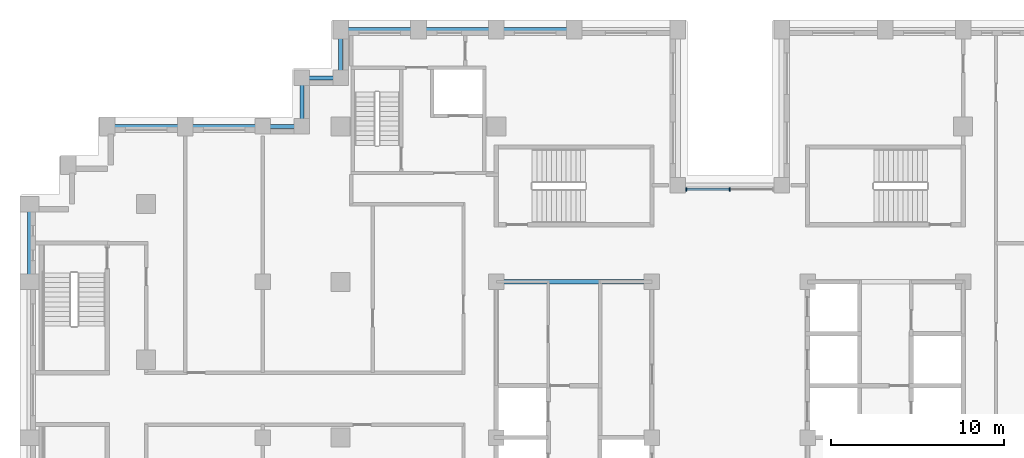
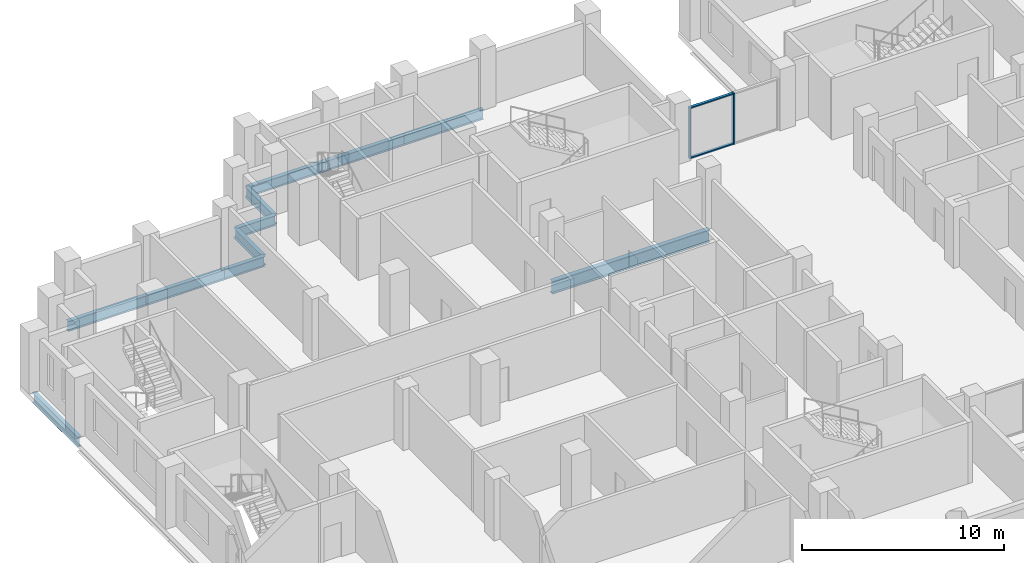
# One storey, part 3 of 15: 11 beams, 4 members, 1 element without a shape of its own.
"""IFC4 building model written with IfcOpenShell, lengths in metres."""

from ifc_helpers import new_model, si_unit, direction, frame, origin, origin_2d, place, context, subcontext, project, spatial, rectangle, i_section, extrude, material, layer, layer_set, material_profile, profile_set, type_object, element, aggregate, save


model = new_model("IFC4")

# Units and contexts
model_context = context("Model", 3, precision=1e-05, world=origin(), true_north=direction((0.0, 1.0)))
body_context = subcontext(model_context, "Body", "Model", "MODEL_VIEW")
ifc_project = project(units=[si_unit("LENGTHUNIT", "METRE"), si_unit("AREAUNIT", "SQUARE_METRE"), si_unit("VOLUMEUNIT", "CUBIC_METRE"), si_unit("PLANEANGLEUNIT", "RADIAN"), si_unit("MASSUNIT", "GRAM", prefix="KILO")], contexts=[model_context])

# Site, building, storey
site_placement = place(None, origin())
site = spatial("IfcSite", under=ifc_project, at=site_placement, CompositionType="ELEMENT")
building_placement = place(site_placement, origin())
building = spatial("IfcBuilding", under=site, at=building_placement, Name="Corbelhall Arena Tower", CompositionType="ELEMENT")
storey_placement = place(building_placement, frame((0.0, 0.0, 166.0)))
storey = spatial("IfcBuildingStorey", under=building, at=storey_placement, Name="L33", CompositionType="ELEMENT", Elevation=166.0)

# Curtain wall, members
ifc_material_1 = material(Name="Aluminium black anodised", Category="aluminium")
ifc_layer = layer(ifc_material_1, 0.199951171875)
ifc_layer_set = layer_set([ifc_layer], Name="EV-CW1 Slot back wall")
curtain_wall_type = type_object("IfcCurtainWallType", Name="EV-CW1 Slot back wall", PredefinedType="NOTDEFINED", material=ifc_layer_set)
curtain_wall_placement = place(storey_placement, origin())
curtain_wall = element("IfcCurtainWall", 1, at=curtain_wall_placement, inside=storey, type_object=curtain_wall_type, Name="Curtain wall CW1", PredefinedType="NOTDEFINED")
ifc_material_profile_1 = material_profile(ifc_material_1, rectangle(XDim=0.199951171875, YDim=0.074951171875, at=origin_2d()))
ifc_profile_set_1 = profile_set([ifc_material_profile_1], Name="Aluminium black anodised")
member_type_1 = type_object("IfcMemberType", Name="EV-CW1-MULLION", PredefinedType="MULLION", material=ifc_profile_set_1)
member_1_placement = place(storey_placement, frame((0.0, 14.35009765625, 0.0), z_axis=(0.0, 0.0, 1.0), x_axis=(0.0, -1.0, 0.0)))
member_1 = element("IfcMember", 2, at=member_1_placement, type_object=member_type_1, Name="CW1 mullion 2", PredefinedType="MULLION", context=body_context, shape_type="SweptSolid", body=[
    extrude(rectangle(XDim=0.199951171875, YDim=0.074951171875, at=origin_2d()), origin(), (0.0, 0.0, 1.0), 3.10009765625),
])
member_2_placement = place(storey_placement, frame((-2.512451171875, 14.35009765625, 0.0), z_axis=(0.0, 0.0, 1.0), x_axis=(0.0, -1.0, 0.0)))
member_2 = element("IfcMember", 3, at=member_2_placement, type_object=member_type_1, Name="CW1 mullion 3", PredefinedType="MULLION", context=body_context, shape_type="SweptSolid", body=[
    extrude(rectangle(XDim=0.199951171875, YDim=0.074951171875, at=origin_2d()), origin(), (0.0, 0.0, 1.0), 3.10009765625),
])
ifc_material_profile_2 = material_profile(ifc_material_1, rectangle(XDim=0.14990234375, YDim=0.074951171875, at=origin_2d()))
ifc_profile_set_2 = profile_set([ifc_material_profile_2], Name="Aluminium black anodised")
member_type_2 = type_object("IfcMemberType", Name="EV-CW1-TRANSOM", PredefinedType="USERDEFINED", material=ifc_profile_set_2)
member_3_placement = place(storey_placement, frame((-0.03759765625, 14.35009765625, 0.03759765625), z_axis=(-1.0, 0.0, 0.0), x_axis=(0.0, -1.0, 0.0)))
member_3 = element("IfcMember", 4, at=member_3_placement, type_object=member_type_2, Name="CW1 transom 2.1", ObjectType="transom", PredefinedType="USERDEFINED", context=body_context, shape_type="SweptSolid", body=[
    extrude(rectangle(XDim=0.14990234375, YDim=0.074951171875, at=origin_2d()), origin(), (0.0, 0.0, 1.0), 2.4375),
])
member_4_placement = place(storey_placement, frame((-0.03759765625, 14.35009765625, 3.0625), z_axis=(-1.0, 0.0, 0.0), x_axis=(0.0, -1.0, 0.0)))
member_4 = element("IfcMember", 5, at=member_4_placement, type_object=member_type_2, Name="CW1 transom 2.2", ObjectType="transom", PredefinedType="USERDEFINED", context=body_context, shape_type="SweptSolid", body=[
    extrude(rectangle(XDim=0.14990234375, YDim=0.074951171875, at=origin_2d()), origin(), (0.0, 0.0, 1.0), 2.4375),
])
aggregate(curtain_wall, [member_1, member_2, member_3, member_4])

# Beams
ifc_material_2 = material(Name="Steel ASTM A992 Gr50", Category="steel")
ifc_material_profile_3 = material_profile(ifc_material_2, i_section(OverallWidth=0.2666015625, OverallDepth=0.761962890625, WebThickness=0.014404296875, FlangeThickness=0.021484375, at=origin_2d()))
ifc_profile_set_3 = profile_set([ifc_material_profile_3], Name="Steel ASTM A992 Gr50")
beam_type_1 = type_object("IfcBeamType", Name="ST-BEAM-W30x116", PredefinedType="BEAM", material=ifc_profile_set_3)
beam_1_placement = place(storey_placement, frame((-13.5, 9.0, -0.680908203125), z_axis=(1.0, 0.0, 0.0), x_axis=(0.0, 1.0, 0.0)))
element("IfcBeam", 6, at=beam_1_placement, inside=storey, type_object=beam_type_1, Name="Beam CEW 6", PredefinedType="BEAM", context=body_context, shape_type="SweptSolid", body=[
    extrude(i_section(OverallWidth=0.2666015625, OverallDepth=0.761962890625, WebThickness=0.014404296875, FlangeThickness=0.021484375, at=origin_2d()), origin(), (0.0, 0.0, 1.0), 9.0),
])
ifc_material_profile_4 = material_profile(ifc_material_2, i_section(OverallWidth=0.22900390625, OverallDepth=0.612060546875, WebThickness=0.011962890625, FlangeThickness=0.01953125, at=origin_2d()))
ifc_profile_set_4 = profile_set([ifc_material_profile_4], Name="Steel ASTM A992 Gr50")
beam_type_2 = type_object("IfcBeamType", Name="ST-SPANDREL-W24x84", PredefinedType="SPANDREL", material=ifc_profile_set_4)
for number, where, z_axis, x_axis, name in (
    (7, (-40.5, 9.0, -0.60595703125), (0.0, 1.0, 0.0), (-1.0, 0.0, 0.0), "Beam SP 2"),
    (8, (-31.5, 18.0, -0.60595703125), (1.0, 0.0, 0.0), (0.0, 1.0, 0.0), "Beam SP 5"),
    (9, (-36.0, 18.0, -0.60595703125), (1.0, 0.0, 0.0), (0.0, 1.0, 0.0), "Beam SP 6"),
    (10, (-13.5, 23.60009765625, -0.60595703125), (1.0, 0.0, 0.0), (0.0, 1.0, 0.0), "Beam SP 24"),
    (11, (-18.0, 23.60009765625, -0.60595703125), (1.0, 0.0, 0.0), (0.0, 1.0, 0.0), "Beam SP 25"),
    (12, (-22.5, 23.60009765625, -0.60595703125), (1.0, 0.0, 0.0), (0.0, 1.0, 0.0), "Beam SP 26"),
):
    element("IfcBeam", number, at=place(storey_placement, frame(where, z_axis=z_axis, x_axis=x_axis)), inside=storey, type_object=beam_type_2, Name=name, PredefinedType="SPANDREL", context=body_context, shape_type="SweptSolid", body=[
        extrude(i_section(OverallWidth=0.22900390625, OverallDepth=0.612060546875, WebThickness=0.011962890625, FlangeThickness=0.01953125, at=origin_2d()), origin(), (0.0, 0.0, 1.0), 4.5),
    ])
beam_2_placement = place(storey_placement, frame((-27.0, 18.0, -0.60595703125), z_axis=(1.0, 0.0, 0.0), x_axis=(0.0, 1.0, 0.0)))
element("IfcBeam", 13, at=beam_2_placement, inside=storey, type_object=beam_type_2, Name="Beam SP 37", PredefinedType="SPANDREL", context=body_context, shape_type="SweptSolid", body=[
    extrude(i_section(OverallWidth=0.22900390625, OverallDepth=0.612060546875, WebThickness=0.011962890625, FlangeThickness=0.01953125, at=origin_2d()), origin(), (0.0, 0.0, 1.0), 2.25),
])
beam_3_placement = place(storey_placement, frame((-22.5, 20.800048828125, -0.60595703125), z_axis=(0.0, 1.0, 0.0), x_axis=(-1.0, 0.0, 0.0)))
element("IfcBeam", 14, at=beam_3_placement, inside=storey, type_object=beam_type_2, Name="Beam SP 46", PredefinedType="SPANDREL", context=body_context, shape_type="SweptSolid", body=[
    extrude(i_section(OverallWidth=0.22900390625, OverallDepth=0.612060546875, WebThickness=0.011962890625, FlangeThickness=0.01953125, at=origin_2d()), origin(), (0.0, 0.0, 1.0), 2.800048828125),
])
beam_4_placement = place(storey_placement, frame((-24.75, 20.800048828125, -0.60595703125), z_axis=(1.0, 0.0, 0.0), x_axis=(0.0, 1.0, 0.0)))
element("IfcBeam", 15, at=beam_4_placement, inside=storey, type_object=beam_type_2, Name="Beam SP 47", PredefinedType="SPANDREL", context=body_context, shape_type="SweptSolid", body=[
    extrude(i_section(OverallWidth=0.22900390625, OverallDepth=0.612060546875, WebThickness=0.011962890625, FlangeThickness=0.01953125, at=origin_2d()), origin(), (0.0, 0.0, 1.0), 2.25),
])
beam_5_placement = place(storey_placement, frame((-24.75, 18.0, -0.60595703125), z_axis=(0.0, 1.0, 0.0), x_axis=(-1.0, 0.0, 0.0)))
element("IfcBeam", 16, at=beam_5_placement, inside=storey, type_object=beam_type_2, Name="Beam SP 48", PredefinedType="SPANDREL", context=body_context, shape_type="SweptSolid", body=[
    extrude(i_section(OverallWidth=0.22900390625, OverallDepth=0.612060546875, WebThickness=0.011962890625, FlangeThickness=0.01953125, at=origin_2d()), origin(), (0.0, 0.0, 1.0), 2.800048828125),
])

save(model, "model.ifc")
